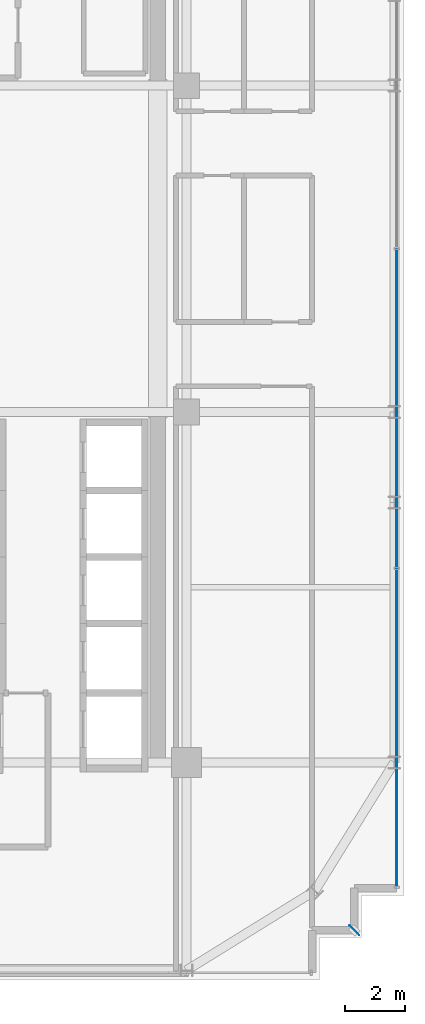
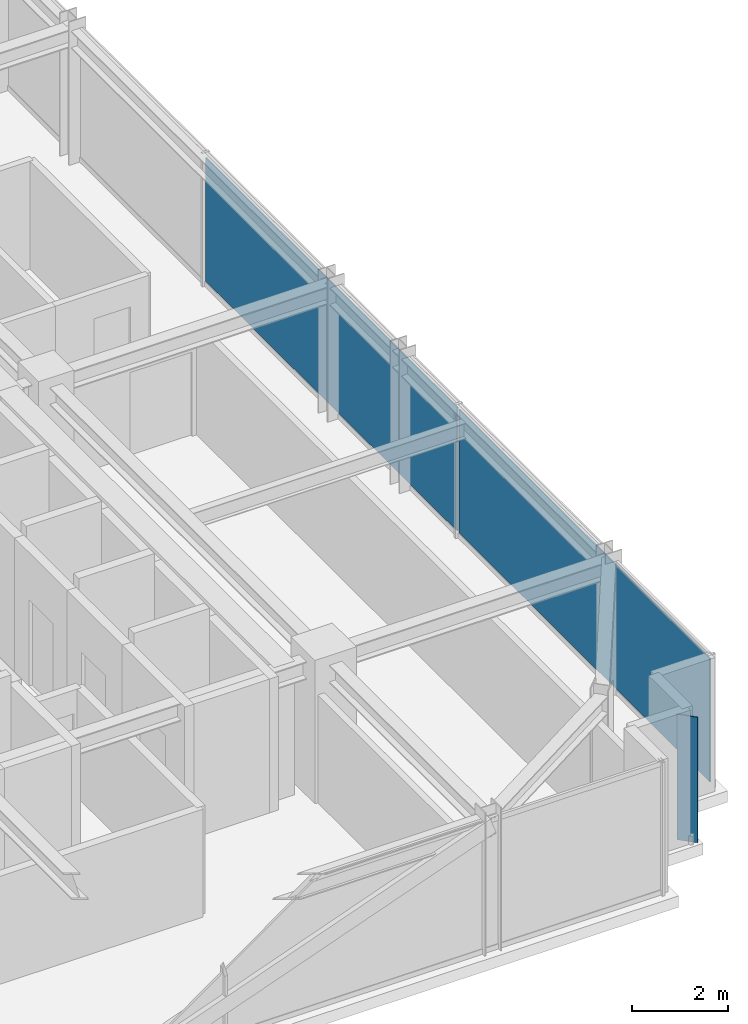
# One storey, part 30 of 41: 3 plates, 1 element without a shape of its own.
"""IFC4 building model written with IfcOpenShell, lengths in metres."""

from ifc_helpers import new_model, si_unit, direction, frame, origin, origin_2d, place, context, subcontext, project, spatial, rectangle, extrude, source, transform, mapped, material, layer, layer_set, type_object, element, aggregate, save


model = new_model("IFC4")

# Units and contexts
model_context = context("Model", 3, precision=1e-05, world=origin(), true_north=direction((0.0, 1.0)))
body_context = subcontext(model_context, "Body", "Model", "MODEL_VIEW")
ifc_project = project(units=[si_unit("LENGTHUNIT", "METRE"), si_unit("AREAUNIT", "SQUARE_METRE"), si_unit("VOLUMEUNIT", "CUBIC_METRE"), si_unit("PLANEANGLEUNIT", "RADIAN"), si_unit("MASSUNIT", "GRAM", prefix="KILO")], contexts=[model_context])

# Site, building, storey
site_placement = place(None, origin())
site = spatial("IfcSite", under=ifc_project, at=site_placement, CompositionType="ELEMENT")
building_placement = place(site_placement, origin())
building = spatial("IfcBuilding", under=site, at=building_placement, Name="Nahalor Promenade Grand Hotel", CompositionType="ELEMENT")
storey_placement = place(building_placement, frame((0.0, 0.0, 227.10009765625)))
storey = spatial("IfcBuildingStorey", under=building, at=storey_placement, Name="L58", CompositionType="ELEMENT", Elevation=227.10009765625)

# Plate
ifc_material_1 = material(Name="Anodised Bronze Aluminium EN AW-6063 T6", Category="aluminium")
ifc_layer_1 = layer(ifc_material_1, 0.02001953125)
ifc_layer_set_1 = layer_set([ifc_layer_1], Name="Anodised Bronze Aluminium EN AW-6063 T6")
plate_type_1 = type_object("IfcPlateType", Name="Plate-CornerFin-20", PredefinedType="SHEET", material=ifc_layer_set_1)
shared_shape_1 = source(origin(), body_context, "Body", "SweptSolid", [
    extrude(rectangle(XDim=0.449951171875, YDim=0.02001953125, at=origin_2d()), origin(), (0.0, 0.0, 1.0), 3.199951171875),
])
plate_1_placement = place(storey_placement, frame((22.56005859375, -22.56005859375, 0.0), z_axis=(0.0, 0.0, 1.0), x_axis=(-0.707106781187, 0.707106781187, 0.0)))
element("IfcPlate", 1, at=plate_1_placement, inside=storey, type_object=plate_type_1, Name="FIN-L58-SE", PredefinedType="SHEET", context=body_context, shape_type="MappedRepresentation", body=[
    mapped(shared_shape_1, transform((0.0, 0.0, 0.0), scale=1.0)),
])

# Curtain wall, plates
curtain_wall_type = type_object("IfcCurtainWallType", Name="CW2 Typical Hotel Flush Bronze Unitised Curtain Wall", PredefinedType="USERDEFINED", material=ifc_material_1)
curtain_wall_placement = place(storey_placement, origin())
curtain_wall = element("IfcCurtainWall", 2, at=curtain_wall_placement, inside=storey, type_object=curtain_wall_type, Name="L58 Curtain Wall CW-L58-E-1", ObjectType="UNITISED_CURTAIN_WALL", PredefinedType="USERDEFINED")
ifc_material_2 = material(Name="Low-E Laminated Solar Glass", Category="glass")
ifc_layer_2 = layer(ifc_material_2, 0.028076171875)
ifc_layer_set_2 = layer_set([ifc_layer_2], Name="Low-E Laminated Solar Glass")
plate_type_2 = type_object("IfcPlateType", Name="CWP2 Bronze Low-E Vision IGU 28mm", PredefinedType="CURTAIN_PANEL", material=ifc_layer_set_2)
shared_shape_2 = source(origin(), body_context, "Body", "SweptSolid", [
    extrude(rectangle(XDim=10.482421875, YDim=0.028076171875, at=origin_2d()), origin(), (0.0, 0.0, 1.0), 3.14990234375),
])
plate_2_placement = place(storey_placement, frame((23.9599609375, -15.853759765625, 0.1298828125), z_axis=(0.0, 0.0, 1.0), x_axis=(0.0, 1.0, 0.0)))
plate_2 = element("IfcPlate", 3, at=plate_2_placement, type_object=plate_type_2, Name="CW-L58-E-1 Glazing Panel 0-0", PredefinedType="CURTAIN_PANEL", context=body_context, shape_type="MappedRepresentation", body=[
    mapped(shared_shape_2, transform((0.0, 0.0, 0.0), scale=1.0)),
])
shared_shape_3 = source(origin(), body_context, "Body", "SweptSolid", [
    extrude(rectangle(XDim=10.514892578125, YDim=0.028076171875, at=origin_2d()), origin(), (0.0, 0.0, 1.0), 3.14990234375),
])
plate_3_placement = place(storey_placement, frame((23.9599609375, -5.2900390625, 0.1298828125), z_axis=(0.0, 0.0, 1.0), x_axis=(0.0, 1.0, 0.0)))
plate_3 = element("IfcPlate", 4, at=plate_3_placement, type_object=plate_type_2, Name="CW-L58-E-1 Glazing Panel 1-0", PredefinedType="CURTAIN_PANEL", context=body_context, shape_type="MappedRepresentation", body=[
    mapped(shared_shape_3, transform((0.0, 0.0, 0.0), scale=1.0)),
])
aggregate(curtain_wall, [plate_2, plate_3])

save(model, "model.ifc")
